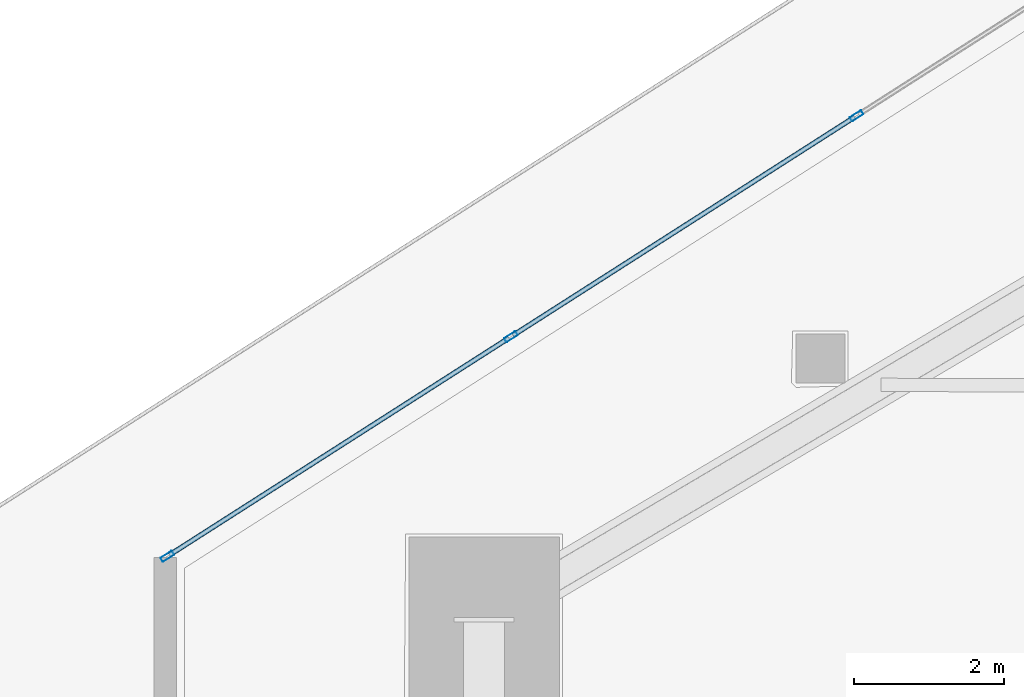
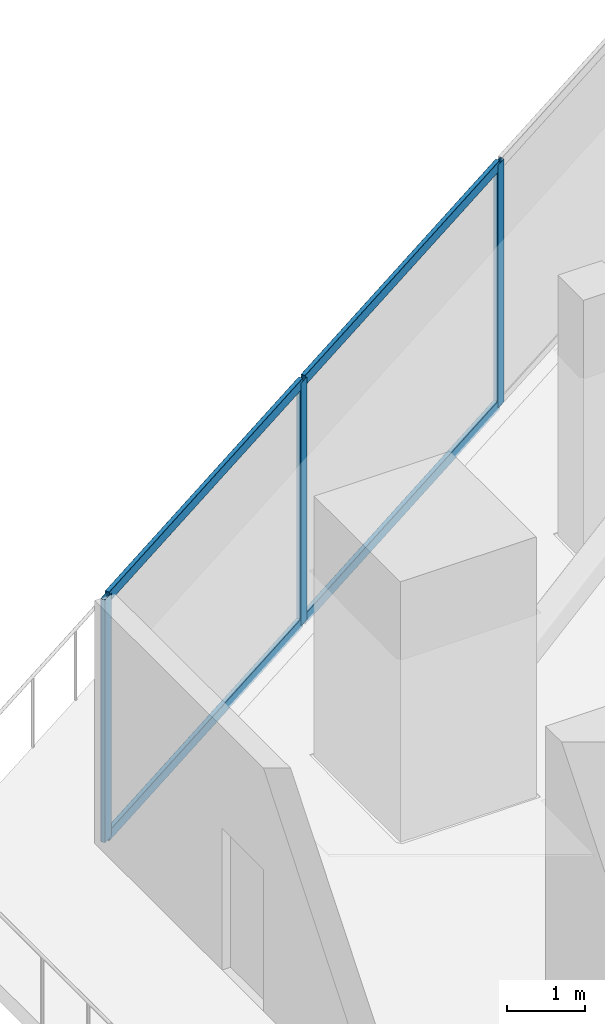
# One storey, part 12 of 40: 7 members, 1 element without a shape of its own.
"""IFC4 building model written with IfcOpenShell, lengths in metres."""

import ifcopenshell
import ifcopenshell.guid

model = None  # the IFC model being written
_history = None  # IfcOwnerHistory: only IFC2X3 demands one
_inside = {}  # id of a spatial element -> (the spatial element, [elements in it])
_under = {}  # id of a project, library or spatial element -> (it, [spatial elements below it])
_declared = {}  # id of a project -> (the project, [libraries it declares])
_typed = {}  # id of a type object -> (the type object, [elements of that type])
_made_of = {}  # id of a material, layer set ... -> (it, [elements and type objects made of it])


def new_model(schema):
    """Start an empty IFC model of exactly this schema.

    Asked for "IFC4X3", IfcOpenShell would pick the latest addendum, in which some entities
    have other attributes; the version numbers below select the first issue.
    IFC2X3 requires an IfcOwnerHistory on every rooted entity: one is made here for all.
    """
    global model, _history
    if schema == "IFC4X3":
        model = ifcopenshell.file(schema_version=(4, 3, 0, 0))
    else:
        model = ifcopenshell.file(schema=schema)
    _inside.clear()
    _under.clear()
    _declared.clear()
    _typed.clear()
    _made_of.clear()
    _history = None
    if model.schema == "IFC2X3":
        org = make("IfcOrganization", Name="unknown")
        user = make(
            "IfcPersonAndOrganization",
            ThePerson=make("IfcPerson", FamilyName="unknown"),
            TheOrganization=org,
        )
        app = make(
            "IfcApplication",
            ApplicationDeveloper=org,
            Version="unknown",
            ApplicationFullName="unknown",
            ApplicationIdentifier="unknown",
        )
        _history = make(
            "IfcOwnerHistory",
            OwningUser=user,
            OwningApplication=app,
            ChangeAction="ADDED",
            CreationDate=0,
        )
    return model


def make(cls, **values):
    """One entity of the class cls with the attributes given. An attribute that is None is left unset."""
    return model.create_entity(
        cls, **{name: value for name, value in values.items() if value is not None}
    )


def rooted(cls, **values):
    """An entity with a GlobalId (a new one), such as an element, a storey or a relation."""
    return make(cls, GlobalId=ifcopenshell.guid.new(), OwnerHistory=_history, **values)


def si_unit(unit_type, name, prefix=None):
    """IfcSIUnit, for example si_unit("LENGTHUNIT", "METRE", prefix="MILLI")."""
    return make("IfcSIUnit", UnitType=unit_type, Prefix=prefix, Name=name)


def assignment(units):
    """IfcUnitAssignment: the units of a project."""
    return None if units is None else make("IfcUnitAssignment", Units=units)


def point(xyz):
    """IfcCartesianPoint."""
    return None if xyz is None else make("IfcCartesianPoint", Coordinates=xyz)


def direction(xyz):
    """IfcDirection."""
    return None if xyz is None else make("IfcDirection", DirectionRatios=xyz)


def frame(location, z_axis=None, x_axis=None):
    """IfcAxis2Placement3D, a coordinate frame: its origin and axes. An axis left out is left unset."""
    return make(
        "IfcAxis2Placement3D",
        Location=point(location),
        Axis=direction(z_axis),
        RefDirection=direction(x_axis),
    )


def frame_2d(location, x_axis=None):
    """IfcAxis2Placement2D, a coordinate frame in the plane: its origin and x axis."""
    return make(
        "IfcAxis2Placement2D", Location=point(location), RefDirection=direction(x_axis)
    )


def origin():
    """The frame at (0, 0, 0) with its axes left unset."""
    return frame((0.0, 0.0, 0.0))


def origin_2d():
    """The frame at (0, 0) in the plane with its x axis left unset."""
    return frame_2d((0.0, 0.0))


def place(relative_to, where):
    """IfcLocalPlacement: puts the frame where relative to a parent placement (None: the world)."""
    return make(
        "IfcLocalPlacement", PlacementRelTo=relative_to, RelativePlacement=where
    )


def context(
    kind, dimensions, precision=None, world=None, true_north=None, identifier=None
):
    """IfcGeometricRepresentationContext, for example the 3D "Model" context."""
    return make(
        "IfcGeometricRepresentationContext",
        ContextIdentifier=identifier,
        ContextType=kind,
        CoordinateSpaceDimension=dimensions,
        Precision=precision,
        WorldCoordinateSystem=world,
        TrueNorth=true_north,
    )


def subcontext(parent, identifier, kind, view, scale=None):
    """IfcGeometricRepresentationSubContext, for example "Body" below "Model"."""
    return make(
        "IfcGeometricRepresentationSubContext",
        ContextIdentifier=identifier,
        ContextType=kind,
        ParentContext=parent,
        TargetScale=scale,
        TargetView=view,
    )


def project(units=None, contexts=None):
    """IfcProject with its units and contexts."""
    return rooted(
        "IfcProject",
        Name="project",
        RepresentationContexts=contexts,
        UnitsInContext=assignment(units),
    )


def spatial(cls, under=None, at=None, **own):
    """A site, building, storey or space (cls), placed at a placement, below another one or the project."""
    s = rooted(cls, ObjectPlacement=at, **own)
    if under is not None:
        _under.setdefault(under.id(), (under, []))[1].append(s)
    return s


def profile(cls, at=None, kind="AREA", **sizes):
    """A parametric profile (cls). Its sizes go by their IFC names, for example OverallWidth=200.0."""
    return make(cls, ProfileType=kind, Position=at, **sizes)


def hollow_rectangle(**sizes):
    """IfcRectangleHollowProfileDef."""
    return profile("IfcRectangleHollowProfileDef", **sizes)


def extrude(swept, where, along, depth):
    """IfcExtrudedAreaSolid: the profile swept, set in the frame where, extruded along a direction by depth."""
    return make(
        "IfcExtrudedAreaSolid",
        SweptArea=swept,
        Position=where,
        ExtrudedDirection=direction(along),
        Depth=depth,
    )


def shape(context_of_items, identifier, shape_type, items):
    """IfcShapeRepresentation: the items that make up one representation, for example the "Body"."""
    return make(
        "IfcShapeRepresentation",
        ContextOfItems=context_of_items,
        RepresentationIdentifier=identifier,
        RepresentationType=shape_type,
        Items=items,
    )


def material(Name=None, Category=None):
    """IfcMaterial."""
    return make("IfcMaterial", Name=Name, Category=Category)


def layer(
    of_material, thickness, ventilated=None, Name=None, Category=None, Priority=None
):
    """IfcMaterialLayer: one layer of a wall or slab, of a material (None: an air gap)."""
    return make(
        "IfcMaterialLayer",
        Material=of_material,
        LayerThickness=thickness,
        IsVentilated=ventilated,
        Name=Name,
        Category=Category,
        Priority=Priority,
    )


def layer_set(layers, Name=None):
    """IfcMaterialLayerSet."""
    return make("IfcMaterialLayerSet", MaterialLayers=layers, LayerSetName=Name)


def material_profile(
    of_material, cross_section, Name=None, Category=None, Priority=None
):
    """IfcMaterialProfile: a cross section and its material."""
    return make(
        "IfcMaterialProfile",
        Name=Name,
        Material=of_material,
        Profile=cross_section,
        Priority=Priority,
        Category=Category,
    )


def profile_set(profiles, Name=None, composite=None):
    """IfcMaterialProfileSet."""
    return make(
        "IfcMaterialProfileSet",
        Name=Name,
        MaterialProfiles=profiles,
        CompositeProfile=composite,
    )


def made_of(thing, what):
    """Note that an element or type object is made of a material, layer set ...; save() writes the relation."""
    if what is not None:
        _made_of.setdefault(what.id(), (what, []))[1].append(thing)
    return thing


def type_object(cls, material=None, **own):
    """A type object (cls), such as IfcWallType, which elements share."""
    return made_of(rooted(cls, **own), material)


def element(
    cls,
    number,
    at=None,
    inside=None,
    cuts=None,
    type_object=None,
    material=None,
    context=None,
    identifier="Body",
    shape_type=None,
    held_by="IfcProductDefinitionShape",
    body=None,
    shapes=None,
    **own,
):
    """One element of the class cls, such as IfcWall. Its Tag is "e" and its number.

    at: its placement. inside: the storey or other place that contains it. cuts: it is an
    opening in that element (IfcRelVoidsElement). A single representation is given by context,
    identifier, shape_type and body (its items); several are given by shapes. held_by: the class
    of the entity that holds the representations. save() writes the other relations.
    """
    e = rooted(cls, Tag="e%d" % number, ObjectPlacement=at, **own)
    if body is not None:
        shapes = [shape(context, identifier, shape_type, body)]
    if shapes is not None:
        e.Representation = make(held_by, Representations=shapes)
    if inside is not None:
        _inside.setdefault(inside.id(), (inside, []))[1].append(e)
    if cuts is not None:
        rooted(
            "IfcRelVoidsElement", RelatingBuildingElement=cuts, RelatedOpeningElement=e
        )
    if type_object is not None:
        _typed.setdefault(type_object.id(), (type_object, []))[1].append(e)
    return made_of(e, material)


def aggregate(whole, parts):
    """IfcRelAggregates: a whole, such as a stair, and the parts it consists of."""
    return rooted("IfcRelAggregates", RelatingObject=whole, RelatedObjects=parts)


def save(model, path):
    """Write the relations noted so far, then the file.

    IfcRelAggregates (storeys below a building ...), IfcRelContainedInSpatialStructure (elements
    in a storey), IfcRelDefinesByType, IfcRelAssociatesMaterial and IfcRelDeclares: one each for
    every whole, place, type object, material and project.
    """
    for whole, parts in _under.values():
        aggregate(whole, parts)
    for where, things in _inside.values():
        rooted(
            "IfcRelContainedInSpatialStructure",
            RelatedElements=things,
            RelatingStructure=where,
        )
    for kind, things in _typed.values():
        rooted("IfcRelDefinesByType", RelatedObjects=things, RelatingType=kind)
    for what, things in _made_of.values():
        rooted("IfcRelAssociatesMaterial", RelatedObjects=things, RelatingMaterial=what)
    for by, libraries in _declared.values():
        rooted("IfcRelDeclares", RelatingContext=by, RelatedDefinitions=libraries)
    model.write(path)


model = new_model("IFC4")

# Units and contexts
model_context = context("Model", 3, precision=1e-05, world=origin(), true_north=direction((0.0, 1.0)))
body_context = subcontext(model_context, "Body", "Model", "MODEL_VIEW")
ifc_project = project(units=[si_unit("LENGTHUNIT", "METRE"), si_unit("AREAUNIT", "SQUARE_METRE"), si_unit("VOLUMEUNIT", "CUBIC_METRE"), si_unit("PLANEANGLEUNIT", "RADIAN"), si_unit("MASSUNIT", "GRAM", prefix="KILO")], contexts=[model_context])

# Site, building, storey
site_placement = place(None, origin())
site = spatial("IfcSite", under=ifc_project, at=site_placement, CompositionType="ELEMENT")
building_placement = place(site_placement, origin())
building = spatial("IfcBuilding", under=site, at=building_placement, Name="Qorvath Tower", CompositionType="ELEMENT")
storey_placement = place(building_placement, frame((0.0, 0.0, 138.14990234375)))
storey = spatial("IfcBuildingStorey", under=building, at=storey_placement, Name="L31", CompositionType="ELEMENT", Elevation=138.14990234375)

# Curtain wall, members
ifc_material_1 = material(Name="Anodised aluminium and triple low-E glass", Category="aluminium")
ifc_layer = layer(ifc_material_1, 0.179931640625)
ifc_layer_set = layer_set([ifc_layer], Name="CW-SYS-3")
curtain_wall_type = type_object("IfcCurtainWallType", Name="CW-SYS-3", PredefinedType="NOTDEFINED", material=ifc_layer_set)
curtain_wall_placement = place(storey_placement, origin())
curtain_wall = element("IfcCurtainWall", 1, at=curtain_wall_placement, inside=storey, type_object=curtain_wall_type, Name="Curtain Wall CW-3 CW-T-L31-16.1", PredefinedType="NOTDEFINED")
ifc_material_2 = material(Name="Anodised aluminium 6063-T6", Category="aluminium")
ifc_material_profile_1 = material_profile(ifc_material_2, hollow_rectangle(XDim=0.06494140625, YDim=0.179931640625, WallThickness=0.00341796875, InnerFilletRadius=0.00341796875, OuterFilletRadius=0.007080078125, at=origin_2d()), Name="CWM 180x65")
ifc_profile_set_1 = profile_set([ifc_material_profile_1], Name="Anodised aluminium 6063-T6")
member_type_1 = type_object("IfcMemberType", Name="CWM-180", PredefinedType="MULLION", material=ifc_profile_set_1)
member_1_placement = place(storey_placement, frame((-48.09619140625, 9.649658203125, 0.0), z_axis=(0.0, 0.0, 1.0), x_axis=(0.538534399095, -0.842603525385, 0.0)))
member_1 = element("IfcMember", 2, at=member_1_placement, type_object=member_type_1, Name="CW-3 mullion 8", PredefinedType="MULLION", context=body_context, shape_type="SweptSolid", body=[
    extrude(hollow_rectangle(XDim=0.06494140625, YDim=0.179931640625, WallThickness=0.00341796875, InnerFilletRadius=0.00341796875, OuterFilletRadius=0.007080078125, at=origin_2d()), origin(), (0.0, 0.0, 1.0), 3.780029296875),
])
member_2_placement = place(storey_placement, frame((-52.69140625, 6.712646484375, 0.0), z_axis=(0.0, 0.0, 1.0), x_axis=(0.538534399095, -0.842603525385, 0.0)))
member_2 = element("IfcMember", 3, at=member_2_placement, type_object=member_type_1, Name="CW-3 mullion 9", PredefinedType="MULLION", context=body_context, shape_type="SweptSolid", body=[
    extrude(hollow_rectangle(XDim=0.06494140625, YDim=0.179931640625, WallThickness=0.00341796875, InnerFilletRadius=0.00341796875, OuterFilletRadius=0.007080078125, at=origin_2d()), origin(), (0.0, 0.0, 1.0), 3.780029296875),
])
member_3_placement = place(storey_placement, frame((-57.259033203125, 3.79345703125, 0.0), z_axis=(0.0, 0.0, 1.0), x_axis=(0.538534399095, -0.842603525385, 0.0)))
member_3 = element("IfcMember", 4, at=member_3_placement, type_object=member_type_1, Name="CW-3 mullion 10", PredefinedType="MULLION", context=body_context, shape_type="SweptSolid", body=[
    extrude(hollow_rectangle(XDim=0.06494140625, YDim=0.179931640625, WallThickness=0.00341796875, InnerFilletRadius=0.00341796875, OuterFilletRadius=0.007080078125, at=origin_2d()), origin(), (0.0, 0.0, 1.0), 3.780029296875),
])
ifc_material_3 = material(Name="Anodised aluminium 6063-T6", Category="aluminium")
ifc_material_profile_2 = material_profile(ifc_material_3, hollow_rectangle(XDim=0.06494140625, YDim=0.159912109375, WallThickness=0.00341796875, InnerFilletRadius=0.00341796875, OuterFilletRadius=0.007080078125, at=origin_2d()), Name="CWT 160x65")
ifc_profile_set_2 = profile_set([ifc_material_profile_2], Name="Anodised aluminium 6063-T6")
member_type_2 = type_object("IfcMemberType", Name="CWT-160", PredefinedType="USERDEFINED", material=ifc_profile_set_2)
member_4_placement = place(storey_placement, frame((-48.123779296875, 9.632080078125, 0.032470703125), z_axis=(-0.842602030071, -0.538536738691, 0.0), x_axis=(0.538536738691, -0.842602030071, 0.0)))
member_4 = element("IfcMember", 5, at=member_4_placement, type_object=member_type_2, Name="CW-3 transom 8.1", ObjectType="TRANSOM", PredefinedType="USERDEFINED", context=body_context, shape_type="SweptSolid", body=[
    extrude(hollow_rectangle(XDim=0.06494140625, YDim=0.159912109375, WallThickness=0.00341796875, InnerFilletRadius=0.00341796875, OuterFilletRadius=0.007080078125, at=origin_2d()), origin(), (0.0, 0.0, 1.0), 5.388427734375),
])
member_5_placement = place(storey_placement, frame((-48.123779296875, 9.632080078125, 3.74755859375), z_axis=(-0.842602030071, -0.538536738691, 0.0), x_axis=(0.538536738691, -0.842602030071, 0.0)))
member_5 = element("IfcMember", 6, at=member_5_placement, type_object=member_type_2, Name="CW-3 transom 8.2", ObjectType="TRANSOM", PredefinedType="USERDEFINED", context=body_context, shape_type="SweptSolid", body=[
    extrude(hollow_rectangle(XDim=0.06494140625, YDim=0.159912109375, WallThickness=0.00341796875, InnerFilletRadius=0.00341796875, OuterFilletRadius=0.007080078125, at=origin_2d()), origin(), (0.0, 0.0, 1.0), 5.388427734375),
])
member_6_placement = place(storey_placement, frame((-52.71875, 6.6953125, 0.032470703125), z_axis=(-0.842589967804, -0.538555611015, 0.0), x_axis=(0.538555611015, -0.842589967804, 0.0)))
member_6 = element("IfcMember", 7, at=member_6_placement, type_object=member_type_2, Name="CW-3 transom 9.1", ObjectType="TRANSOM", PredefinedType="USERDEFINED", context=body_context, shape_type="SweptSolid", body=[
    extrude(hollow_rectangle(XDim=0.06494140625, YDim=0.159912109375, WallThickness=0.00341796875, InnerFilletRadius=0.00341796875, OuterFilletRadius=0.007080078125, at=origin_2d()), origin(), (0.0, 0.0, 1.0), 5.35595703125),
])
member_7_placement = place(storey_placement, frame((-52.71875, 6.6953125, 3.74755859375), z_axis=(-0.842589967804, -0.538555611015, 0.0), x_axis=(0.538555611015, -0.842589967804, 0.0)))
member_7 = element("IfcMember", 8, at=member_7_placement, type_object=member_type_2, Name="CW-3 transom 9.2", ObjectType="TRANSOM", PredefinedType="USERDEFINED", context=body_context, shape_type="SweptSolid", body=[
    extrude(hollow_rectangle(XDim=0.06494140625, YDim=0.159912109375, WallThickness=0.00341796875, InnerFilletRadius=0.00341796875, OuterFilletRadius=0.007080078125, at=origin_2d()), origin(), (0.0, 0.0, 1.0), 5.35595703125),
])
aggregate(curtain_wall, [member_1, member_2, member_3, member_4, member_5, member_6, member_7])

save(model, "model.ifc")
